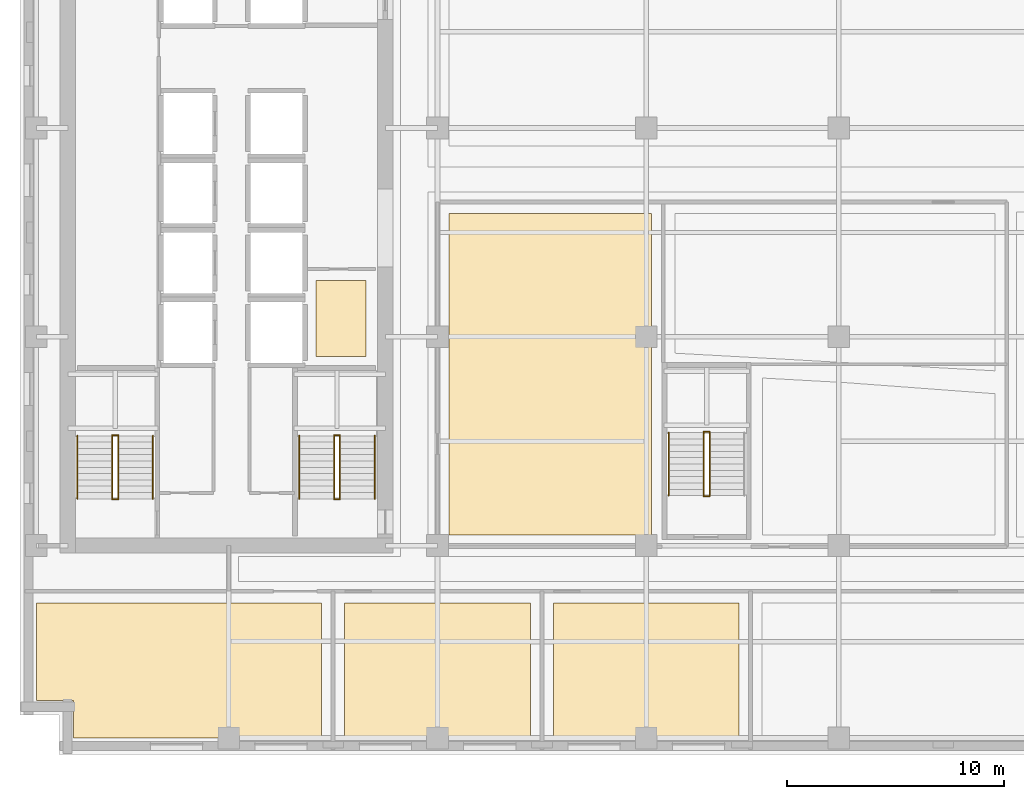
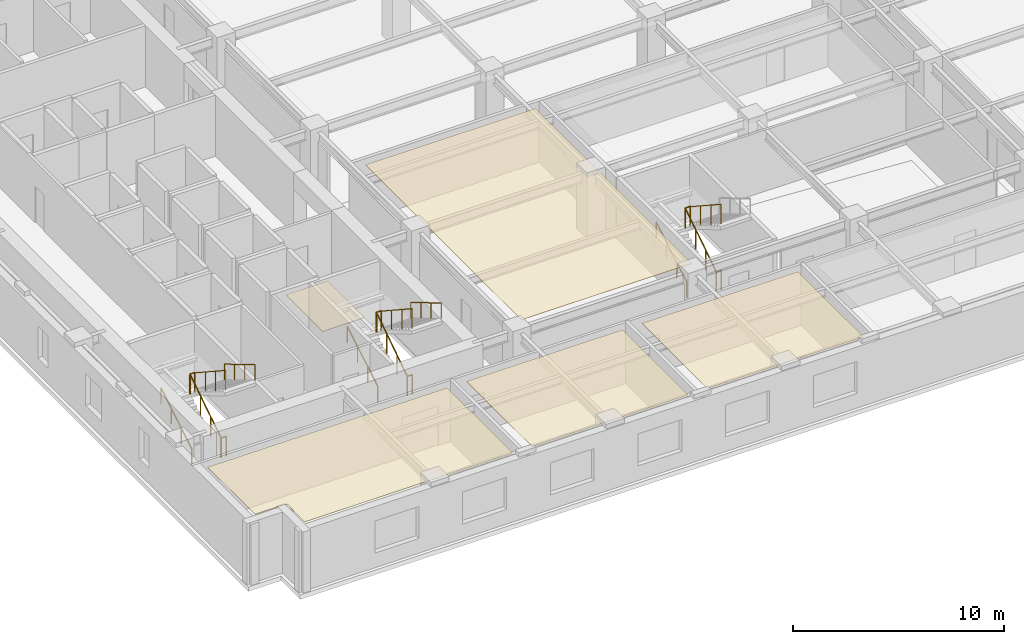
# One storey, part 7 of 11: 17 railings, 5 coverings.
"""IFC4 building model written with IfcOpenShell, lengths in metres."""

from ifc_helpers import new_model, si_unit, direction, frame, origin, origin_2d, place, context, subcontext, project, spatial, polyline, circle, outline, extrude, material, layer, layer_set, type_object, element, save


model = new_model("IFC4")

# Units and contexts
model_context = context("Model", 3, precision=1e-05, world=origin(), true_north=direction((0.0, 1.0)))
body_context = subcontext(model_context, "Body", "Model", "MODEL_VIEW")
ifc_project = project(units=[si_unit("LENGTHUNIT", "METRE"), si_unit("AREAUNIT", "SQUARE_METRE"), si_unit("VOLUMEUNIT", "CUBIC_METRE"), si_unit("PLANEANGLEUNIT", "RADIAN"), si_unit("MASSUNIT", "GRAM", prefix="KILO")], contexts=[model_context])

# Site, building, storey
site_placement = place(None, origin())
site = spatial("IfcSite", under=ifc_project, at=site_placement, CompositionType="ELEMENT")
building_placement = place(site_placement, origin())
building = spatial("IfcBuilding", under=site, at=building_placement, Name="Norrvale University Quadrangle", CompositionType="ELEMENT")
storey_placement = place(building_placement, frame((0.0, 0.0, 128.0)))
storey = spatial("IfcBuildingStorey", under=building, at=storey_placement, Name="L32", CompositionType="ELEMENT", Elevation=128.0)

# Coverings
ifc_material_1 = material(Name="Perforated Acoustic Mineral Ceiling")
ifc_layer_1 = layer(ifc_material_1, 0.02490234375, Name="Perforated Acoustic Mineral Ceiling")
ifc_layer_set_1 = layer_set([ifc_layer_1], Name="Perforated Acoustic Mineral Ceiling")
covering_type_1 = type_object("IfcCoveringType", Name="Covering Acoustic Ceiling 25", PredefinedType="CEILING", material=ifc_layer_set_1)
covering_1_placement = place(storey_placement, frame((0.0, 0.0, 3.514892578125)))
element("IfcCovering", 1, at=covering_1_placement, inside=storey, type_object=covering_type_1, Name="Acoustic Ceiling RM-L32-S01", PredefinedType="CEILING", context=body_context, shape_type="SweptSolid", body=[
    extrude(outline(polyline([(0.75, 6.969970703125), (13.8701171875, 6.969970703125), (13.8701171875, 0.75), (2.469970703125, 0.75), (2.469970703125, 2.469970703125), (0.75, 2.469970703125), (0.75, 6.969970703125)])), origin(), (0.0, 0.0, 1.0), 0.025146484375),
])
covering_2_placement = place(storey_placement, frame((0.0, 0.0, 3.514892578125)))
element("IfcCovering", 2, at=covering_2_placement, inside=storey, type_object=covering_type_1, Name="Acoustic Ceiling RM-L32-S02", PredefinedType="CEILING", context=body_context, shape_type="SweptSolid", body=[
    extrude(outline(polyline([(14.929931640625, 6.969970703125), (23.469970703125, 6.969970703125), (23.469970703125, 0.75), (14.929931640625, 0.75), (14.929931640625, 6.969970703125)])), origin(), (0.0, 0.0, 1.0), 0.025146484375),
])
covering_3_placement = place(storey_placement, frame((0.0, 0.0, 3.514892578125)))
element("IfcCovering", 3, at=covering_3_placement, inside=storey, type_object=covering_type_1, Name="Acoustic Ceiling RM-L32-S03", PredefinedType="CEILING", context=body_context, shape_type="SweptSolid", body=[
    extrude(outline(polyline([(24.530029296875, 6.969970703125), (33.070068359375, 6.969970703125), (33.070068359375, 0.75), (24.530029296875, 0.75), (24.530029296875, 6.969970703125)])), origin(), (0.0, 0.0, 1.0), 0.025146484375),
])
covering_4_placement = place(storey_placement, frame((0.0, 0.0, 3.514892578125)))
element("IfcCovering", 4, at=covering_4_placement, inside=storey, type_object=covering_type_1, Name="Acoustic Ceiling RM-L32-IW1", PredefinedType="CEILING", context=body_context, shape_type="SweptSolid", body=[
    extrude(outline(polyline([(19.72998046875, 10.080078125), (19.72998046875, 24.8701171875), (29.050048828125, 24.8701171875), (29.050048828125, 10.080078125), (19.72998046875, 10.080078125)])), origin(), (0.0, 0.0, 1.0), 0.025146484375),
])
ifc_material_2 = material(Name="Polished Terrazzo Flooring")
ifc_layer_2 = layer(ifc_material_2, 0.02490234375, Name="Polished Terrazzo Flooring")
ifc_layer_set_2 = layer_set([ifc_layer_2], Name="Polished Terrazzo Flooring")
covering_type_2 = type_object("IfcCoveringType", Name="Covering Terrazzo Floor 30", PredefinedType="FLOORING", material=ifc_layer_set_2)
covering_5_placement = place(storey_placement, origin())
element("IfcCovering", 5, at=covering_5_placement, inside=storey, type_object=covering_type_2, Name="Terrazzo Flooring RM-L32-JAN", PredefinedType="FLOORING", context=body_context, shape_type="SweptSolid", body=[
    extrude(outline(polyline([(13.60009765625, 18.300048828125), (13.60009765625, 21.800048828125), (15.89990234375, 21.800048828125), (15.89990234375, 18.300048828125), (13.60009765625, 18.300048828125)])), origin(), (0.0, 0.0, 1.0), 0.02490234375),
])

# Railings
ifc_material_3 = material(Name="Steel 350W Painted Balustrade", Category="steel")
railing_type_1 = type_object("IfcRailingType", Name="Railing Stair Guard 1100", PredefinedType="GUARDRAIL", material=ifc_material_3)
for number, where, name in (
    (6, (4.239990234375, 11.719970703125, 0.0), "Stair Floor Well Guard ST-01 L32"),
    (7, (4.239990234375, 14.679931640625, 1.89990234375), "Stair Mid-Landing Slot Guard ST-01 L32"),
):
    element("IfcRailing", number, at=place(storey_placement, frame(where)), inside=storey, type_object=railing_type_1, Name=name, PredefinedType="GUARDRAIL", context=body_context, shape_type="SweptSolid", body=[
        extrude(circle(Radius=0.02392578125, at=origin_2d()), frame((0.0, 0.0, 1.1259765625), z_axis=(1.0, 0.0, 0.0), x_axis=(0.0, 1.0, 0.0)), (0.0, 0.0, 1.0), 0.27001953125),
        extrude(circle(Radius=0.02099609375, at=origin_2d()), origin(), (0.0, 0.0, 1.0), 1.101806640625),
        extrude(circle(Radius=0.02099609375, at=origin_2d()), frame((0.27001953125, 0.0, 0.0)), (0.0, 0.0, 1.0), 1.101806640625),
    ])
railing_1_placement = place(storey_placement, frame((4.239990234375, 11.75, 0.0)))
element("IfcRailing", 8, at=railing_1_placement, inside=storey, type_object=railing_type_1, Name="Stair Lower Flight Inner Guard ST-01 L32", PredefinedType="GUARDRAIL", context=body_context, shape_type="SweptSolid", body=[
    extrude(circle(Radius=0.02392578125, at=origin_2d()), frame((0.0, 0.0, 1.1259765625), z_axis=(0.0, 0.836465582154, 0.548019461216), x_axis=(-1.0, 0.0, 0.0)), (0.0, 0.0, 1.0), 3.466796875),
    extrude(circle(Radius=0.02099609375, at=origin_2d()), origin(), (0.0, 0.0, 1.0), 1.101806640625),
    extrude(circle(Radius=0.02099609375, at=origin_2d()), frame((0.0, 0.966552734375, 0.63330078125)), (0.0, 0.0, 1.0), 1.101806640625),
    extrude(circle(Radius=0.02099609375, at=origin_2d()), frame((0.0, 1.933349609375, 1.2666015625)), (0.0, 0.0, 1.0), 1.101806640625),
    extrude(circle(Radius=0.02099609375, at=origin_2d()), frame((0.0, 2.89990234375, 1.89990234375)), (0.0, 0.0, 1.0), 1.101806640625),
])
railing_2_placement = place(storey_placement, frame((4.510009765625, 14.64990234375, 1.89990234375)))
element("IfcRailing", 9, at=railing_2_placement, inside=storey, type_object=railing_type_1, Name="Stair Upper Flight Inner Guard ST-01 L32", PredefinedType="GUARDRAIL", context=body_context, shape_type="SweptSolid", body=[
    extrude(circle(Radius=0.02392578125, at=origin_2d()), frame((0.0, 0.0, 1.1259765625), z_axis=(0.0, -0.836433300813, 0.548068730445), x_axis=(1.0, 0.0, 0.0)), (0.0, 0.0, 1.0), 3.467041015625),
    extrude(circle(Radius=0.02099609375, at=origin_2d()), origin(), (0.0, 0.0, 1.0), 1.101806640625),
    extrude(circle(Radius=0.02099609375, at=origin_2d()), frame((0.0, -0.966552734375, 0.63330078125)), (0.0, 0.0, 1.0), 1.101806640625),
    extrude(circle(Radius=0.02099609375, at=origin_2d()), frame((0.0, -1.933349609375, 1.266845703125)), (0.0, 0.0, 1.0), 1.101806640625),
    extrude(circle(Radius=0.02099609375, at=origin_2d()), frame((0.0, -2.89990234375, 1.900146484375)), (0.0, 0.0, 1.0), 1.101806640625),
])
for number, where, name in (
    (10, (14.43994140625, 11.719970703125, 0.0), "Stair Floor Well Guard ST-03 L32"),
    (11, (14.43994140625, 14.679931640625, 1.89990234375), "Stair Mid-Landing Slot Guard ST-03 L32"),
):
    element("IfcRailing", number, at=place(storey_placement, frame(where)), inside=storey, type_object=railing_type_1, Name=name, PredefinedType="GUARDRAIL", context=body_context, shape_type="SweptSolid", body=[
        extrude(circle(Radius=0.02392578125, at=origin_2d()), frame((0.0, 0.0, 1.1259765625), z_axis=(1.0, 0.0, 0.0), x_axis=(0.0, 1.0, 0.0)), (0.0, 0.0, 1.0), 0.27001953125),
        extrude(circle(Radius=0.02099609375, at=origin_2d()), origin(), (0.0, 0.0, 1.0), 1.101806640625),
        extrude(circle(Radius=0.02099609375, at=origin_2d()), frame((0.27001953125, 0.0, 0.0)), (0.0, 0.0, 1.0), 1.101806640625),
    ])
railing_3_placement = place(storey_placement, frame((14.43994140625, 11.75, 0.0)))
element("IfcRailing", 12, at=railing_3_placement, inside=storey, type_object=railing_type_1, Name="Stair Lower Flight Inner Guard ST-03 L32", PredefinedType="GUARDRAIL", context=body_context, shape_type="SweptSolid", body=[
    extrude(circle(Radius=0.02392578125, at=origin_2d()), frame((0.0, 0.0, 1.1259765625), z_axis=(0.0, 0.836465582154, 0.548019461216), x_axis=(-1.0, 0.0, 0.0)), (0.0, 0.0, 1.0), 3.466796875),
    extrude(circle(Radius=0.02099609375, at=origin_2d()), origin(), (0.0, 0.0, 1.0), 1.101806640625),
    extrude(circle(Radius=0.02099609375, at=origin_2d()), frame((0.0, 0.966552734375, 0.63330078125)), (0.0, 0.0, 1.0), 1.101806640625),
    extrude(circle(Radius=0.02099609375, at=origin_2d()), frame((0.0, 1.933349609375, 1.2666015625)), (0.0, 0.0, 1.0), 1.101806640625),
    extrude(circle(Radius=0.02099609375, at=origin_2d()), frame((0.0, 2.89990234375, 1.89990234375)), (0.0, 0.0, 1.0), 1.101806640625),
])
railing_4_placement = place(storey_placement, frame((14.7099609375, 14.64990234375, 1.89990234375)))
element("IfcRailing", 13, at=railing_4_placement, inside=storey, type_object=railing_type_1, Name="Stair Upper Flight Inner Guard ST-03 L32", PredefinedType="GUARDRAIL", context=body_context, shape_type="SweptSolid", body=[
    extrude(circle(Radius=0.02392578125, at=origin_2d()), frame((0.0, 0.0, 1.1259765625), z_axis=(0.0, -0.836433300813, 0.548068730445), x_axis=(1.0, 0.0, 0.0)), (0.0, 0.0, 1.0), 3.467041015625),
    extrude(circle(Radius=0.02099609375, at=origin_2d()), origin(), (0.0, 0.0, 1.0), 1.101806640625),
    extrude(circle(Radius=0.02099609375, at=origin_2d()), frame((0.0, -0.966552734375, 0.63330078125)), (0.0, 0.0, 1.0), 1.101806640625),
    extrude(circle(Radius=0.02099609375, at=origin_2d()), frame((0.0, -1.933349609375, 1.266845703125)), (0.0, 0.0, 1.0), 1.101806640625),
    extrude(circle(Radius=0.02099609375, at=origin_2d()), frame((0.0, -2.89990234375, 1.900146484375)), (0.0, 0.0, 1.0), 1.101806640625),
])
for number, where, name in (
    (14, (31.43994140625, 11.8701171875, 0.0), "Stair Floor Well Guard ST-04 L32"),
    (15, (31.43994140625, 14.830078125, 1.89990234375), "Stair Mid-Landing Slot Guard ST-04 L32"),
):
    element("IfcRailing", number, at=place(storey_placement, frame(where)), inside=storey, type_object=railing_type_1, Name=name, PredefinedType="GUARDRAIL", context=body_context, shape_type="SweptSolid", body=[
        extrude(circle(Radius=0.02392578125, at=origin_2d()), frame((0.0, 0.0, 1.1259765625), z_axis=(1.0, 0.0, 0.0), x_axis=(0.0, 1.0, 0.0)), (0.0, 0.0, 1.0), 0.27001953125),
        extrude(circle(Radius=0.02099609375, at=origin_2d()), origin(), (0.0, 0.0, 1.0), 1.101806640625),
        extrude(circle(Radius=0.02099609375, at=origin_2d()), frame((0.27001953125, 0.0, 0.0)), (0.0, 0.0, 1.0), 1.101806640625),
    ])
railing_5_placement = place(storey_placement, frame((31.43994140625, 11.89990234375, 0.0)))
element("IfcRailing", 16, at=railing_5_placement, inside=storey, type_object=railing_type_1, Name="Stair Lower Flight Inner Guard ST-04 L32", PredefinedType="GUARDRAIL", context=body_context, shape_type="SweptSolid", body=[
    extrude(circle(Radius=0.02392578125, at=origin_2d()), frame((0.0, 0.0, 1.1259765625), z_axis=(0.0, 0.836486729621, 0.547987181573), x_axis=(-1.0, 0.0, 0.0)), (0.0, 0.0, 1.0), 3.467041015625),
    extrude(circle(Radius=0.02099609375, at=origin_2d()), origin(), (0.0, 0.0, 1.0), 1.101806640625),
    extrude(circle(Radius=0.02099609375, at=origin_2d()), frame((0.0, 0.966796875, 0.63330078125)), (0.0, 0.0, 1.0), 1.101806640625),
    extrude(circle(Radius=0.02099609375, at=origin_2d()), frame((0.0, 1.933349609375, 1.2666015625)), (0.0, 0.0, 1.0), 1.101806640625),
    extrude(circle(Radius=0.02099609375, at=origin_2d()), frame((0.0, 2.900146484375, 1.89990234375)), (0.0, 0.0, 1.0), 1.101806640625),
])
railing_6_placement = place(storey_placement, frame((31.7099609375, 14.800048828125, 1.89990234375)))
element("IfcRailing", 17, at=railing_6_placement, inside=storey, type_object=railing_type_1, Name="Stair Upper Flight Inner Guard ST-04 L32", PredefinedType="GUARDRAIL", context=body_context, shape_type="SweptSolid", body=[
    extrude(circle(Radius=0.02392578125, at=origin_2d()), frame((0.0, 0.0, 1.1259765625), z_axis=(0.0, -0.836454451266, 0.548036450392), x_axis=(1.0, 0.0, 0.0)), (0.0, 0.0, 1.0), 3.46728515625),
    extrude(circle(Radius=0.02099609375, at=origin_2d()), origin(), (0.0, 0.0, 1.0), 1.101806640625),
    extrude(circle(Radius=0.02099609375, at=origin_2d()), frame((0.0, -0.966796875, 0.63330078125)), (0.0, 0.0, 1.0), 1.101806640625),
    extrude(circle(Radius=0.02099609375, at=origin_2d()), frame((0.0, -1.933349609375, 1.266845703125)), (0.0, 0.0, 1.0), 1.101806640625),
    extrude(circle(Radius=0.02099609375, at=origin_2d()), frame((0.0, -2.900146484375, 1.900146484375)), (0.0, 0.0, 1.0), 1.101806640625),
])
ifc_material_4 = material(Name="Stainless Steel 316L Handrail", Category="steel")
railing_type_2 = type_object("IfcRailingType", Name="Railing Stair Handrail 920", PredefinedType="HANDRAIL", material=ifc_material_4)
railing_7_placement = place(storey_placement, frame((2.639892578125, 11.75, 0.172607421875)))
element("IfcRailing", 18, at=railing_7_placement, inside=storey, type_object=railing_type_2, Name="Stair Lower Flight Handrail ST-01 L32", PredefinedType="HANDRAIL", context=body_context, shape_type="SweptSolid", body=[
    extrude(circle(Radius=0.02392578125, at=origin_2d()), frame((0.0, 0.0, 0.89599609375), z_axis=(0.0, 0.859141464434, 0.511738159696), x_axis=(-1.0, 0.0, 0.0)), (0.0, 0.0, 1.0), 3.375244140625),
    extrude(circle(Radius=0.02099609375, at=origin_2d()), origin(), (0.0, 0.0, 1.0), 0.871826171875),
    extrude(circle(Radius=0.02099609375, at=origin_2d()), frame((0.0, 0.966552734375, 0.57568359375)), (0.0, 0.0, 1.0), 0.871826171875),
    extrude(circle(Radius=0.02099609375, at=origin_2d()), frame((0.0, 1.933349609375, 1.151611328125)), (0.0, 0.0, 1.0), 0.871826171875),
    extrude(circle(Radius=0.02099609375, at=origin_2d()), frame((0.0, 2.89990234375, 1.727294921875)), (0.0, 0.0, 1.0), 0.871826171875),
])
railing_8_placement = place(storey_placement, frame((6.110107421875, 14.64990234375, 2.07275390625)))
element("IfcRailing", 19, at=railing_8_placement, inside=storey, type_object=railing_type_2, Name="Stair Upper Flight Handrail ST-01 L32", PredefinedType="HANDRAIL", context=body_context, shape_type="SweptSolid", body=[
    extrude(circle(Radius=0.02392578125, at=origin_2d()), frame((0.0, 0.0, 0.89599609375), z_axis=(0.0, -0.859141464434, 0.511738159696), x_axis=(1.0, 0.0, 0.0)), (0.0, 0.0, 1.0), 3.375244140625),
    extrude(circle(Radius=0.02099609375, at=origin_2d()), origin(), (0.0, 0.0, 1.0), 0.871826171875),
    extrude(circle(Radius=0.02099609375, at=origin_2d()), frame((0.0, -0.966552734375, 0.57568359375)), (0.0, 0.0, 1.0), 0.871826171875),
    extrude(circle(Radius=0.02099609375, at=origin_2d()), frame((0.0, -1.933349609375, 1.151611328125)), (0.0, 0.0, 1.0), 0.871826171875),
    extrude(circle(Radius=0.02099609375, at=origin_2d()), frame((0.0, -2.89990234375, 1.727294921875)), (0.0, 0.0, 1.0), 0.871826171875),
])
railing_9_placement = place(storey_placement, frame((12.840087890625, 11.75, 0.172607421875)))
element("IfcRailing", 20, at=railing_9_placement, inside=storey, type_object=railing_type_2, Name="Stair Lower Flight Handrail ST-03 L32", PredefinedType="HANDRAIL", context=body_context, shape_type="SweptSolid", body=[
    extrude(circle(Radius=0.02392578125, at=origin_2d()), frame((0.0, 0.0, 0.89599609375), z_axis=(0.0, 0.859141464434, 0.511738159696), x_axis=(-1.0, 0.0, 0.0)), (0.0, 0.0, 1.0), 3.375244140625),
    extrude(circle(Radius=0.02099609375, at=origin_2d()), origin(), (0.0, 0.0, 1.0), 0.871826171875),
    extrude(circle(Radius=0.02099609375, at=origin_2d()), frame((0.0, 0.966552734375, 0.57568359375)), (0.0, 0.0, 1.0), 0.871826171875),
    extrude(circle(Radius=0.02099609375, at=origin_2d()), frame((0.0, 1.933349609375, 1.151611328125)), (0.0, 0.0, 1.0), 0.871826171875),
    extrude(circle(Radius=0.02099609375, at=origin_2d()), frame((0.0, 2.89990234375, 1.727294921875)), (0.0, 0.0, 1.0), 0.871826171875),
])
railing_10_placement = place(storey_placement, frame((16.31005859375, 14.64990234375, 2.07275390625)))
element("IfcRailing", 21, at=railing_10_placement, inside=storey, type_object=railing_type_2, Name="Stair Upper Flight Handrail ST-03 L32", PredefinedType="HANDRAIL", context=body_context, shape_type="SweptSolid", body=[
    extrude(circle(Radius=0.02392578125, at=origin_2d()), frame((0.0, 0.0, 0.89599609375), z_axis=(0.0, -0.859141464434, 0.511738159696), x_axis=(1.0, 0.0, 0.0)), (0.0, 0.0, 1.0), 3.375244140625),
    extrude(circle(Radius=0.02099609375, at=origin_2d()), origin(), (0.0, 0.0, 1.0), 0.871826171875),
    extrude(circle(Radius=0.02099609375, at=origin_2d()), frame((0.0, -0.966552734375, 0.57568359375)), (0.0, 0.0, 1.0), 0.871826171875),
    extrude(circle(Radius=0.02099609375, at=origin_2d()), frame((0.0, -1.933349609375, 1.151611328125)), (0.0, 0.0, 1.0), 0.871826171875),
    extrude(circle(Radius=0.02099609375, at=origin_2d()), frame((0.0, -2.89990234375, 1.727294921875)), (0.0, 0.0, 1.0), 0.871826171875),
])
railing_11_placement = place(storey_placement, frame((29.840087890625, 11.89990234375, 0.172607421875)))
element("IfcRailing", 22, at=railing_11_placement, inside=storey, type_object=railing_type_2, Name="Stair Lower Flight Handrail ST-04 L32", PredefinedType="HANDRAIL", context=body_context, shape_type="SweptSolid", body=[
    extrude(circle(Radius=0.02392578125, at=origin_2d()), frame((0.0, 0.0, 0.89599609375), z_axis=(0.0, 0.859160404282, 0.51170636083), x_axis=(-1.0, 0.0, 0.0)), (0.0, 0.0, 1.0), 3.37548828125),
    extrude(circle(Radius=0.02099609375, at=origin_2d()), origin(), (0.0, 0.0, 1.0), 0.871826171875),
    extrude(circle(Radius=0.02099609375, at=origin_2d()), frame((0.0, 0.966796875, 0.57568359375)), (0.0, 0.0, 1.0), 0.871826171875),
    extrude(circle(Radius=0.02099609375, at=origin_2d()), frame((0.0, 1.933349609375, 1.151611328125)), (0.0, 0.0, 1.0), 0.871826171875),
    extrude(circle(Radius=0.02099609375, at=origin_2d()), frame((0.0, 2.900146484375, 1.727294921875)), (0.0, 0.0, 1.0), 0.871826171875),
])

save(model, "model.ifc")
